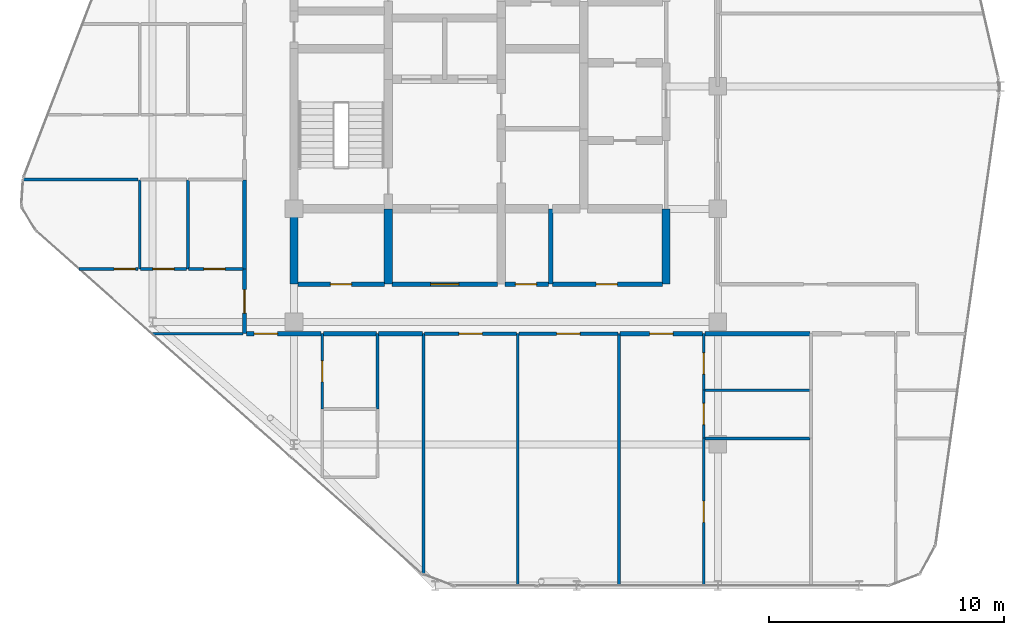
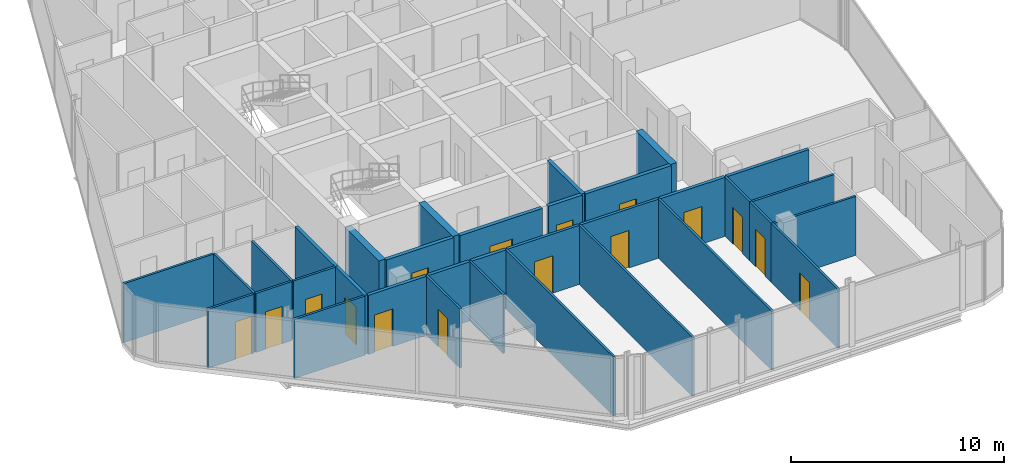
# One storey, part 22 of 27: 34 walls, 16 doors, 16 openings.
"""IFC4 building model written with IfcOpenShell, lengths in metres."""

import ifcopenshell
import ifcopenshell.guid

model = None  # the IFC model being written
_history = None  # IfcOwnerHistory: only IFC2X3 demands one
_inside = {}  # id of a spatial element -> (the spatial element, [elements in it])
_under = {}  # id of a project, library or spatial element -> (it, [spatial elements below it])
_declared = {}  # id of a project -> (the project, [libraries it declares])
_typed = {}  # id of a type object -> (the type object, [elements of that type])
_made_of = {}  # id of a material, layer set ... -> (it, [elements and type objects made of it])


def new_model(schema):
    """Start an empty IFC model of exactly this schema.

    Asked for "IFC4X3", IfcOpenShell would pick the latest addendum, in which some entities
    have other attributes; the version numbers below select the first issue.
    IFC2X3 requires an IfcOwnerHistory on every rooted entity: one is made here for all.
    """
    global model, _history
    if schema == "IFC4X3":
        model = ifcopenshell.file(schema_version=(4, 3, 0, 0))
    else:
        model = ifcopenshell.file(schema=schema)
    _inside.clear()
    _under.clear()
    _declared.clear()
    _typed.clear()
    _made_of.clear()
    _history = None
    if model.schema == "IFC2X3":
        org = make("IfcOrganization", Name="unknown")
        user = make(
            "IfcPersonAndOrganization",
            ThePerson=make("IfcPerson", FamilyName="unknown"),
            TheOrganization=org,
        )
        app = make(
            "IfcApplication",
            ApplicationDeveloper=org,
            Version="unknown",
            ApplicationFullName="unknown",
            ApplicationIdentifier="unknown",
        )
        _history = make(
            "IfcOwnerHistory",
            OwningUser=user,
            OwningApplication=app,
            ChangeAction="ADDED",
            CreationDate=0,
        )
    return model


def make(cls, **values):
    """One entity of the class cls with the attributes given. An attribute that is None is left unset."""
    return model.create_entity(
        cls, **{name: value for name, value in values.items() if value is not None}
    )


def rooted(cls, **values):
    """An entity with a GlobalId (a new one), such as an element, a storey or a relation."""
    return make(cls, GlobalId=ifcopenshell.guid.new(), OwnerHistory=_history, **values)


def si_unit(unit_type, name, prefix=None):
    """IfcSIUnit, for example si_unit("LENGTHUNIT", "METRE", prefix="MILLI")."""
    return make("IfcSIUnit", UnitType=unit_type, Prefix=prefix, Name=name)


def assignment(units):
    """IfcUnitAssignment: the units of a project."""
    return None if units is None else make("IfcUnitAssignment", Units=units)


def point(xyz):
    """IfcCartesianPoint."""
    return None if xyz is None else make("IfcCartesianPoint", Coordinates=xyz)


def direction(xyz):
    """IfcDirection."""
    return None if xyz is None else make("IfcDirection", DirectionRatios=xyz)


def frame(location, z_axis=None, x_axis=None):
    """IfcAxis2Placement3D, a coordinate frame: its origin and axes. An axis left out is left unset."""
    return make(
        "IfcAxis2Placement3D",
        Location=point(location),
        Axis=direction(z_axis),
        RefDirection=direction(x_axis),
    )


def frame_2d(location, x_axis=None):
    """IfcAxis2Placement2D, a coordinate frame in the plane: its origin and x axis."""
    return make(
        "IfcAxis2Placement2D", Location=point(location), RefDirection=direction(x_axis)
    )


def origin():
    """The frame at (0, 0, 0) with its axes left unset."""
    return frame((0.0, 0.0, 0.0))


def place(relative_to, where):
    """IfcLocalPlacement: puts the frame where relative to a parent placement (None: the world)."""
    return make(
        "IfcLocalPlacement", PlacementRelTo=relative_to, RelativePlacement=where
    )


def context(
    kind, dimensions, precision=None, world=None, true_north=None, identifier=None
):
    """IfcGeometricRepresentationContext, for example the 3D "Model" context."""
    return make(
        "IfcGeometricRepresentationContext",
        ContextIdentifier=identifier,
        ContextType=kind,
        CoordinateSpaceDimension=dimensions,
        Precision=precision,
        WorldCoordinateSystem=world,
        TrueNorth=true_north,
    )


def subcontext(parent, identifier, kind, view, scale=None):
    """IfcGeometricRepresentationSubContext, for example "Body" below "Model"."""
    return make(
        "IfcGeometricRepresentationSubContext",
        ContextIdentifier=identifier,
        ContextType=kind,
        ParentContext=parent,
        TargetScale=scale,
        TargetView=view,
    )


def project(units=None, contexts=None):
    """IfcProject with its units and contexts."""
    return rooted(
        "IfcProject",
        Name="project",
        RepresentationContexts=contexts,
        UnitsInContext=assignment(units),
    )


def spatial(cls, under=None, at=None, **own):
    """A site, building, storey or space (cls), placed at a placement, below another one or the project."""
    s = rooted(cls, ObjectPlacement=at, **own)
    if under is not None:
        _under.setdefault(under.id(), (under, []))[1].append(s)
    return s


def profile(cls, at=None, kind="AREA", **sizes):
    """A parametric profile (cls). Its sizes go by their IFC names, for example OverallWidth=200.0."""
    return make(cls, ProfileType=kind, Position=at, **sizes)


def rectangle(**sizes):
    """IfcRectangleProfileDef."""
    return profile("IfcRectangleProfileDef", **sizes)


def extrude(swept, where, along, depth):
    """IfcExtrudedAreaSolid: the profile swept, set in the frame where, extruded along a direction by depth."""
    return make(
        "IfcExtrudedAreaSolid",
        SweptArea=swept,
        Position=where,
        ExtrudedDirection=direction(along),
        Depth=depth,
    )


def shape(context_of_items, identifier, shape_type, items):
    """IfcShapeRepresentation: the items that make up one representation, for example the "Body"."""
    return make(
        "IfcShapeRepresentation",
        ContextOfItems=context_of_items,
        RepresentationIdentifier=identifier,
        RepresentationType=shape_type,
        Items=items,
    )


def material(Name=None, Category=None):
    """IfcMaterial."""
    return make("IfcMaterial", Name=Name, Category=Category)


def layer(
    of_material, thickness, ventilated=None, Name=None, Category=None, Priority=None
):
    """IfcMaterialLayer: one layer of a wall or slab, of a material (None: an air gap)."""
    return make(
        "IfcMaterialLayer",
        Material=of_material,
        LayerThickness=thickness,
        IsVentilated=ventilated,
        Name=Name,
        Category=Category,
        Priority=Priority,
    )


def layer_set(layers, Name=None):
    """IfcMaterialLayerSet."""
    return make("IfcMaterialLayerSet", MaterialLayers=layers, LayerSetName=Name)


def made_of(thing, what):
    """Note that an element or type object is made of a material, layer set ...; save() writes the relation."""
    if what is not None:
        _made_of.setdefault(what.id(), (what, []))[1].append(thing)
    return thing


def type_object(cls, material=None, **own):
    """A type object (cls), such as IfcWallType, which elements share."""
    return made_of(rooted(cls, **own), material)


def element(
    cls,
    number,
    at=None,
    inside=None,
    cuts=None,
    type_object=None,
    material=None,
    context=None,
    identifier="Body",
    shape_type=None,
    held_by="IfcProductDefinitionShape",
    body=None,
    shapes=None,
    **own,
):
    """One element of the class cls, such as IfcWall. Its Tag is "e" and its number.

    at: its placement. inside: the storey or other place that contains it. cuts: it is an
    opening in that element (IfcRelVoidsElement). A single representation is given by context,
    identifier, shape_type and body (its items); several are given by shapes. held_by: the class
    of the entity that holds the representations. save() writes the other relations.
    """
    e = rooted(cls, Tag="e%d" % number, ObjectPlacement=at, **own)
    if body is not None:
        shapes = [shape(context, identifier, shape_type, body)]
    if shapes is not None:
        e.Representation = make(held_by, Representations=shapes)
    if inside is not None:
        _inside.setdefault(inside.id(), (inside, []))[1].append(e)
    if cuts is not None:
        rooted(
            "IfcRelVoidsElement", RelatingBuildingElement=cuts, RelatedOpeningElement=e
        )
    if type_object is not None:
        _typed.setdefault(type_object.id(), (type_object, []))[1].append(e)
    return made_of(e, material)


def fill(opening, filler):
    """IfcRelFillsElement: the door or window that sits in an opening."""
    return rooted(
        "IfcRelFillsElement",
        RelatingOpeningElement=opening,
        RelatedBuildingElement=filler,
    )


def aggregate(whole, parts):
    """IfcRelAggregates: a whole, such as a stair, and the parts it consists of."""
    return rooted("IfcRelAggregates", RelatingObject=whole, RelatedObjects=parts)


def save(model, path):
    """Write the relations noted so far, then the file.

    IfcRelAggregates (storeys below a building ...), IfcRelContainedInSpatialStructure (elements
    in a storey), IfcRelDefinesByType, IfcRelAssociatesMaterial and IfcRelDeclares: one each for
    every whole, place, type object, material and project.
    """
    for whole, parts in _under.values():
        aggregate(whole, parts)
    for where, things in _inside.values():
        rooted(
            "IfcRelContainedInSpatialStructure",
            RelatedElements=things,
            RelatingStructure=where,
        )
    for kind, things in _typed.values():
        rooted("IfcRelDefinesByType", RelatedObjects=things, RelatingType=kind)
    for what, things in _made_of.values():
        rooted("IfcRelAssociatesMaterial", RelatedObjects=things, RelatingMaterial=what)
    for by, libraries in _declared.values():
        rooted("IfcRelDeclares", RelatingContext=by, RelatedDefinitions=libraries)
    model.write(path)


model = new_model("IFC4")

# Units and contexts
model_context = context("Model", 3, precision=1e-05, world=origin(), true_north=direction((0.0, 1.0)))
body_context = subcontext(model_context, "Body", "Model", "MODEL_VIEW")
ifc_project = project(units=[si_unit("LENGTHUNIT", "METRE"), si_unit("AREAUNIT", "SQUARE_METRE"), si_unit("VOLUMEUNIT", "CUBIC_METRE"), si_unit("PLANEANGLEUNIT", "RADIAN"), si_unit("MASSUNIT", "GRAM", prefix="KILO")], contexts=[model_context])

# Site, building, storey
site_placement = place(None, origin())
site = spatial("IfcSite", under=ifc_project, at=site_placement, CompositionType="ELEMENT")
building_placement = place(site_placement, origin())
building = spatial("IfcBuilding", under=site, at=building_placement, Name="Keshet Zoharim Tower", CompositionType="ELEMENT")
storey_placement = place(building_placement, frame((0.0, 0.0, 269.5)))
storey = spatial("IfcBuildingStorey", under=building, at=storey_placement, Name="L67", CompositionType="ELEMENT", Elevation=269.5)

# Wall, opening, door
ifc_material_1 = material(Name="Gypsum Plasterboard", Category="gypsum")
ifc_layer_1 = layer(ifc_material_1, 0.14990234375)
ifc_layer_set_1 = layer_set([ifc_layer_1], Name="Gypsum Plasterboard")
wall_type_1 = type_object("IfcWallType", Name="WL-CLIN-150", PredefinedType="STANDARD", material=ifc_layer_set_1)
wall_1_placement = place(storey_placement, frame((20.544921875, 17.39990234375, 0.0), z_axis=(0.0, 0.0, 1.0), x_axis=(1.0, 0.0, 0.0)))
wall_1 = element("IfcWall", 1, at=wall_1_placement, inside=storey, type_object=wall_type_1, Name="L67 Interior Wall 094", PredefinedType="STANDARD", context=body_context, shape_type="SweptSolid", body=[
    extrude(rectangle(XDim=3.91015625, YDim=0.14990234375, at=frame_2d((1.955078125, 0.0))), origin(), (0.0, 0.0, 1.0), 3.389892578125),
])
opening_1_placement = place(wall_1_placement, frame((1.455078125, 0.0, 0.0)))
opening_1 = element("IfcOpeningElement", 2, at=opening_1_placement, cuts=wall_1, Name="Opening D-F310", PredefinedType="OPENING", context=body_context, shape_type="SweptSolid", body=[
    extrude(rectangle(XDim=1.0, YDim=2.14990234375, at=frame_2d((0.5, 1.074951171875))), frame((0.0, 0.0849609375, 0.0), z_axis=(0.0, -1.0, 0.0), x_axis=(1.0, 0.0, 0.0)), (0.0, 0.0, 1.0), 0.169921875),
])
ifc_material_2 = material(Name="Hardwood Timber", Category="wood")
door_type_1 = type_object("IfcDoorType", Name="DR-FD30-100", OperationType="NOTDEFINED", PredefinedType="DOOR", material=ifc_material_2)
door_1_placement = place(opening_1_placement, origin())
door_1 = element("IfcDoor", 3, at=door_1_placement, inside=storey, type_object=door_type_1, Name="L67 Residents Telework Office Door", OperationType="SINGLE_SWING_LEFT", OverallHeight=2.14990234375, OverallWidth=1.0, PredefinedType="DOOR", context=body_context, shape_type="SweptSolid", body=[
    extrude(rectangle(XDim=1.0, YDim=2.14990234375, at=frame_2d((0.5, 1.074951171875))), frame((0.0, 0.02490234375, 0.0), z_axis=(0.0, -1.0, 0.0), x_axis=(1.0, 0.0, 0.0)), (0.0, 0.0, 1.0), 0.050048828125),
])
fill(opening_1, door_1)

wall_2_placement = place(storey_placement, frame((24.544921875, 17.39990234375, 0.0), z_axis=(0.0, 0.0, 1.0), x_axis=(1.0, 0.0, 0.0)))
wall_2 = element("IfcWall", 4, at=wall_2_placement, inside=storey, type_object=wall_type_1, Name="L67 Interior Wall 095", PredefinedType="STANDARD", context=body_context, shape_type="SweptSolid", body=[
    extrude(rectangle(XDim=4.2099609375, YDim=0.14990234375, at=frame_2d((2.10498046875, 0.0))), origin(), (0.0, 0.0, 1.0), 3.389892578125),
])
opening_2_placement = place(wall_2_placement, frame((1.60498046875, 0.0, 0.0)))
opening_2 = element("IfcOpeningElement", 5, at=opening_2_placement, cuts=wall_2, Name="Opening D-F310", PredefinedType="OPENING", context=body_context, shape_type="SweptSolid", body=[
    extrude(rectangle(XDim=1.0, YDim=2.14990234375, at=frame_2d((0.5, 1.074951171875))), frame((0.0, 0.0849609375, 0.0), z_axis=(0.0, -1.0, 0.0), x_axis=(1.0, 0.0, 0.0)), (0.0, 0.0, 1.0), 0.169921875),
])
door_2_placement = place(opening_2_placement, origin())
door_2 = element("IfcDoor", 6, at=door_2_placement, inside=storey, type_object=door_type_1, Name="L67 Residents Meeting Room Door", OperationType="SINGLE_SWING_RIGHT", OverallHeight=2.14990234375, OverallWidth=1.0, PredefinedType="DOOR", context=body_context, shape_type="SweptSolid", body=[
    extrude(rectangle(XDim=1.0, YDim=2.14990234375, at=frame_2d((0.5, 1.074951171875))), frame((0.0, 0.02490234375, 0.0), z_axis=(0.0, -1.0, 0.0), x_axis=(1.0, 0.0, 0.0)), (0.0, 0.0, 1.0), 0.050048828125),
])
fill(opening_2, door_2)

# Walls
ifc_material_3 = material(Name="Concrete C60/75", Category="concrete")
ifc_layer_2 = layer(ifc_material_3, 0.35009765625)
ifc_layer_set_2 = layer_set([ifc_layer_2], Name="Concrete C60/75")
wall_type_2 = type_object("IfcWallType", Name="WL-CORE-350", PredefinedType="SHEAR", material=ifc_layer_set_2)
for number, where, z_axis, x_axis, name in (
    (7, (15.0, 19.5, 0.0), (0.0, 0.0, 1.0), (0.0, 1.0, 0.0), "L67 Core Shear Wall 016"),
    (8, (19.0, 19.5, 0.0), (0.0, 0.0, 1.0), (0.0, 1.0, 0.0), "L67 Core Shear Wall 026"),
    (9, (30.800048828125, 19.5, 0.0), (0.0, 0.0, 1.0), (0.0, 1.0, 0.0), "L67 Core Shear Wall 057"),
):
    element("IfcWall", number, at=place(storey_placement, frame(where, z_axis=z_axis, x_axis=x_axis)), inside=storey, type_object=wall_type_2, Name=name, PredefinedType="SHEAR", context=body_context, shape_type="SweptSolid", body=[
        extrude(rectangle(XDim=3.199951171875, YDim=0.35009765625, at=frame_2d((1.60009765625, 0.0))), origin(), (0.0, 0.0, 1.0), 3.389892578125),
    ])

# Wall, opening, door
ifc_layer_3 = layer(ifc_material_1, 0.179931640625)
ifc_layer_set_3 = layer_set([ifc_layer_3], Name="Gypsum Plasterboard")
wall_type_3 = type_object("IfcWallType", Name="WL-CORR-180", PredefinedType="STANDARD", material=ifc_layer_set_3)
wall_3_placement = place(storey_placement, frame((12.89990234375, 17.39990234375, 0.0), z_axis=(0.0, 0.0, 1.0), x_axis=(0.0, 1.0, 0.0)))
wall_3 = element("IfcWall", 10, at=wall_3_placement, inside=storey, type_object=wall_type_3, Name="L67 Interior Wall 007", PredefinedType="STANDARD", context=body_context, shape_type="SweptSolid", body=[
    extrude(rectangle(XDim=2.75, YDim=0.179931640625, at=frame_2d((1.375, 0.0))), origin(), (0.0, 0.0, 1.0), 3.389892578125),
])
opening_3_placement = place(wall_3_placement, frame((0.875, 0.0, 0.0)))
opening_3 = element("IfcOpeningElement", 11, at=opening_3_placement, cuts=wall_3, Name="Opening D-F310", PredefinedType="OPENING", context=body_context, shape_type="SweptSolid", body=[
    extrude(rectangle(XDim=1.0, YDim=2.14990234375, at=frame_2d((0.5, 1.074951171875))), frame((0.0, 0.10009765625, 0.0), z_axis=(0.0, -1.0, 0.0), x_axis=(1.0, 0.0, 0.0)), (0.0, 0.0, 1.0), 0.199951171875),
])
door_3_placement = place(opening_3_placement, origin())
door_3 = element("IfcDoor", 12, at=door_3_placement, inside=storey, type_object=door_type_1, Name="Apartment 6706 Entrance Door", OperationType="SINGLE_SWING_LEFT", OverallHeight=2.14990234375, OverallWidth=1.0, PredefinedType="DOOR", context=body_context, shape_type="SweptSolid", body=[
    extrude(rectangle(XDim=1.0, YDim=2.14990234375, at=frame_2d((0.5, 1.074951171875))), frame((0.0, 0.02490234375, 0.0), z_axis=(0.0, -1.0, 0.0), x_axis=(1.0, 0.0, 0.0)), (0.0, 0.0, 1.0), 0.050048828125),
])
fill(opening_3, door_3)

# Wall
wall_4_placement = place(storey_placement, frame((12.89990234375, 20.14990234375, 0.0), z_axis=(0.0, 0.0, 1.0), x_axis=(0.0, 1.0, 0.0)))
element("IfcWall", 13, at=wall_4_placement, inside=storey, type_object=wall_type_3, Name="L67 Interior Wall 008", PredefinedType="STANDARD", context=body_context, shape_type="SweptSolid", body=[
    extrude(rectangle(XDim=3.780029296875, YDim=0.179931640625, at=frame_2d((1.89013671875, 0.0))), origin(), (0.0, 0.0, 1.0), 3.389892578125),
])

# Wall, opening, door
wall_5_placement = place(storey_placement, frame((12.97509765625, 17.39990234375, 0.0), z_axis=(0.0, 0.0, 1.0), x_axis=(1.0, 0.0, 0.0)))
wall_5 = element("IfcWall", 14, at=wall_5_placement, inside=storey, type_object=wall_type_3, Name="L67 Interior Wall 091", PredefinedType="STANDARD", context=body_context, shape_type="SweptSolid", body=[
    extrude(rectangle(XDim=3.179931640625, YDim=0.179931640625, at=frame_2d((1.58984375, 0.0))), origin(), (0.0, 0.0, 1.0), 3.389892578125),
])
opening_4_placement = place(wall_5_placement, frame((0.33203125, 0.0, 0.0)))
opening_4 = element("IfcOpeningElement", 15, at=opening_4_placement, cuts=wall_5, Name="Opening D-F310", PredefinedType="OPENING", context=body_context, shape_type="SweptSolid", body=[
    extrude(rectangle(XDim=1.0, YDim=2.14990234375, at=frame_2d((0.5, 1.074951171875))), frame((0.0, 0.10009765625, 0.0), z_axis=(0.0, -1.0, 0.0), x_axis=(1.0, 0.0, 0.0)), (0.0, 0.0, 1.0), 0.199951171875),
])
door_4_placement = place(opening_4_placement, origin())
door_4 = element("IfcDoor", 16, at=door_4_placement, inside=storey, type_object=door_type_1, Name="Apartment 6701 Entrance Door", OperationType="SINGLE_SWING_RIGHT", OverallHeight=2.14990234375, OverallWidth=1.0, PredefinedType="DOOR", context=body_context, shape_type="SweptSolid", body=[
    extrude(rectangle(XDim=1.0, YDim=2.14990234375, at=frame_2d((0.5, 1.074951171875))), frame((0.0, 0.02490234375, 0.0), z_axis=(0.0, -1.0, 0.0), x_axis=(1.0, 0.0, 0.0)), (0.0, 0.0, 1.0), 0.050048828125),
])
fill(opening_4, door_4)

# Walls
wall_6_placement = place(storey_placement, frame((16.2451171875, 17.39990234375, 0.0), z_axis=(0.0, 0.0, 1.0), x_axis=(1.0, 0.0, 0.0)))
element("IfcWall", 17, at=wall_6_placement, inside=storey, type_object=wall_type_3, Name="L67 Interior Wall 092", PredefinedType="STANDARD", context=body_context, shape_type="SweptSolid", body=[
    extrude(rectangle(XDim=2.259765625, YDim=0.179931640625, at=frame_2d((1.1298828125, 0.0))), origin(), (0.0, 0.0, 1.0), 3.389892578125),
])
wall_7_placement = place(storey_placement, frame((18.594970703125, 17.39990234375, 0.0), z_axis=(0.0, 0.0, 1.0), x_axis=(1.0, 0.0, 0.0)))
element("IfcWall", 18, at=wall_7_placement, inside=storey, type_object=wall_type_3, Name="L67 Interior Wall 093", PredefinedType="STANDARD", context=body_context, shape_type="SweptSolid", body=[
    extrude(rectangle(XDim=1.860107421875, YDim=0.179931640625, at=frame_2d((0.93017578125, 0.0))), origin(), (0.0, 0.0, 1.0), 3.389892578125),
])

# Wall, opening, door
wall_8_placement = place(storey_placement, frame((28.844970703125, 17.39990234375, 0.0), z_axis=(0.0, 0.0, 1.0), x_axis=(1.0, 0.0, 0.0)))
wall_8 = element("IfcWall", 19, at=wall_8_placement, inside=storey, type_object=wall_type_3, Name="L67 Interior Wall 096", PredefinedType="STANDARD", context=body_context, shape_type="SweptSolid", body=[
    extrude(rectangle(XDim=3.510009765625, YDim=0.179931640625, at=frame_2d((1.7548828125, 0.0))), origin(), (0.0, 0.0, 1.0), 3.389892578125),
])
opening_5_placement = place(wall_8_placement, frame((1.2548828125, 0.0, 0.0)))
opening_5 = element("IfcOpeningElement", 20, at=opening_5_placement, cuts=wall_8, Name="Opening D-F310", PredefinedType="OPENING", context=body_context, shape_type="SweptSolid", body=[
    extrude(rectangle(XDim=1.0, YDim=2.14990234375, at=frame_2d((0.5, 1.074951171875))), frame((0.0, 0.10009765625, 0.0), z_axis=(0.0, -1.0, 0.0), x_axis=(1.0, 0.0, 0.0)), (0.0, 0.0, 1.0), 0.199951171875),
])
door_5_placement = place(opening_5_placement, origin())
door_5 = element("IfcDoor", 21, at=door_5_placement, inside=storey, type_object=door_type_1, Name="Apartment 6702 Entrance Door", OperationType="SINGLE_SWING_LEFT", OverallHeight=2.14990234375, OverallWidth=1.0, PredefinedType="DOOR", context=body_context, shape_type="SweptSolid", body=[
    extrude(rectangle(XDim=1.0, YDim=2.14990234375, at=frame_2d((0.5, 1.074951171875))), frame((0.0, 0.02490234375, 0.0), z_axis=(0.0, -1.0, 0.0), x_axis=(1.0, 0.0, 0.0)), (0.0, 0.0, 1.0), 0.050048828125),
])
fill(opening_5, door_5)

# Walls
wall_9_placement = place(storey_placement, frame((32.445068359375, 17.39990234375, 0.0), z_axis=(0.0, 0.0, 1.0), x_axis=(1.0, 0.0, 0.0)))
element("IfcWall", 22, at=wall_9_placement, inside=storey, type_object=wall_type_3, Name="L67 Interior Wall 097", PredefinedType="STANDARD", context=body_context, shape_type="SweptSolid", body=[
    extrude(rectangle(XDim=4.4599609375, YDim=0.179931640625, at=frame_2d((2.22998046875, 0.0))), origin(), (0.0, 0.0, 1.0), 3.389892578125),
])
ifc_material_4 = material(Name="Concrete C50/60", Category="concrete")
ifc_layer_4 = layer(ifc_material_4, 0.199951171875)
ifc_layer_set_4 = layer_set([ifc_layer_4], Name="Concrete C50/60")
wall_type_4 = type_object("IfcWallType", Name="WL-FIRE-200", PredefinedType="STANDARD", material=ifc_layer_set_4)
wall_10_placement = place(storey_placement, frame((25.89990234375, 19.5, 0.0), z_axis=(0.0, 0.0, 1.0), x_axis=(0.0, 1.0, 0.0)))
element("IfcWall", 23, at=wall_10_placement, inside=storey, type_object=wall_type_4, Name="L67 Interior Wall 046", PredefinedType="STANDARD", context=body_context, shape_type="SweptSolid", body=[
    extrude(rectangle(XDim=3.199951171875, YDim=0.199951171875, at=frame_2d((1.60009765625, 0.0))), origin(), (0.0, 0.0, 1.0), 3.389892578125),
])

# Wall, opening, door
wall_11_placement = place(storey_placement, frame((15.159912109375, 19.5, 0.0), z_axis=(0.0, 0.0, 1.0), x_axis=(1.0, 0.0, 0.0)))
wall_11 = element("IfcWall", 24, at=wall_11_placement, inside=storey, type_object=wall_type_4, Name="L67 Interior Wall 101", PredefinedType="STANDARD", context=body_context, shape_type="SweptSolid", body=[
    extrude(rectangle(XDim=3.68017578125, YDim=0.199951171875, at=frame_2d((1.840087890625, 0.0))), origin(), (0.0, 0.0, 1.0), 3.389892578125),
])
opening_6_placement = place(wall_11_placement, frame((1.389892578125, 0.0, 0.0)))
opening_6 = element("IfcOpeningElement", 25, at=opening_6_placement, cuts=wall_11, Name="Opening D-F690", PredefinedType="OPENING", context=body_context, shape_type="SweptSolid", body=[
    extrude(rectangle(XDim=0.89990234375, YDim=2.14990234375, at=frame_2d((0.449951171875, 1.074951171875))), frame((0.0, 0.10986328125, 0.0), z_axis=(0.0, -1.0, 0.0), x_axis=(1.0, 0.0, 0.0)), (0.0, 0.0, 1.0), 0.219970703125),
])
door_type_2 = type_object("IfcDoorType", Name="DR-FD60-090", OperationType="NOTDEFINED", PredefinedType="DOOR", material=ifc_material_2)
door_6_placement = place(opening_6_placement, origin())
door_6 = element("IfcDoor", 26, at=door_6_placement, inside=storey, type_object=door_type_2, Name="L67 Refuse Room Door", OperationType="SINGLE_SWING_LEFT", OverallHeight=2.14990234375, OverallWidth=0.89990234375, PredefinedType="DOOR", context=body_context, shape_type="SweptSolid", body=[
    extrude(rectangle(XDim=0.89990234375, YDim=2.14990234375, at=frame_2d((0.449951171875, 1.074951171875))), frame((0.0, 0.02490234375, 0.0), z_axis=(0.0, -1.0, 0.0), x_axis=(1.0, 0.0, 0.0)), (0.0, 0.0, 1.0), 0.050048828125),
])
fill(opening_6, door_6)

wall_12_placement = place(storey_placement, frame((19.159912109375, 19.5, 0.0), z_axis=(0.0, 0.0, 1.0), x_axis=(1.0, 0.0, 0.0)))
wall_12 = element("IfcWall", 27, at=wall_12_placement, inside=storey, type_object=wall_type_4, Name="L67 Interior Wall 102", PredefinedType="STANDARD", context=body_context, shape_type="SweptSolid", body=[
    extrude(rectangle(XDim=4.47998046875, YDim=0.199951171875, at=frame_2d((2.239990234375, 0.0))), origin(), (0.0, 0.0, 1.0), 3.389892578125),
])
opening_7_placement = place(wall_12_placement, frame((1.639892578125, 0.0, 0.0)))
opening_7 = element("IfcOpeningElement", 28, at=opening_7_placement, cuts=wall_12, Name="Opening D-F612", PredefinedType="OPENING", context=body_context, shape_type="SweptSolid", body=[
    extrude(rectangle(XDim=1.199951171875, YDim=2.199951171875, at=frame_2d((0.60009765625, 1.10009765625))), frame((0.0, 0.10986328125, 0.0), z_axis=(0.0, -1.0, 0.0), x_axis=(1.0, 0.0, 0.0)), (0.0, 0.0, 1.0), 0.219970703125),
])
door_type_3 = type_object("IfcDoorType", Name="DR-FD60-120", OperationType="NOTDEFINED", PredefinedType="DOOR", material=ifc_material_2)
door_7_placement = place(opening_7_placement, origin())
door_7 = element("IfcDoor", 29, at=door_7_placement, inside=storey, type_object=door_type_3, Name="L67 South Vestibule Corridor Door", OperationType="SINGLE_SWING_RIGHT", OverallHeight=2.199951171875, OverallWidth=1.199951171875, PredefinedType="DOOR", context=body_context, shape_type="SweptSolid", body=[
    extrude(rectangle(XDim=1.199951171875, YDim=2.199951171875, at=frame_2d((0.60009765625, 1.10009765625))), frame((0.0, 0.02490234375, 0.0), z_axis=(0.0, -1.0, 0.0), x_axis=(1.0, 0.0, 0.0)), (0.0, 0.0, 1.0), 0.050048828125),
])
fill(opening_7, door_7)

wall_13_placement = place(storey_placement, frame((23.9599609375, 19.5, 0.0), z_axis=(0.0, 0.0, 1.0), x_axis=(1.0, 0.0, 0.0)))
wall_13 = element("IfcWall", 30, at=wall_13_placement, inside=storey, type_object=wall_type_4, Name="L67 Interior Wall 103", PredefinedType="STANDARD", context=body_context, shape_type="SweptSolid", body=[
    extrude(rectangle(XDim=1.85498046875, YDim=0.199951171875, at=frame_2d((0.927490234375, 0.0))), origin(), (0.0, 0.0, 1.0), 3.389892578125),
])
opening_8_placement = place(wall_13_placement, frame((0.43994140625, 0.0, 0.0)))
opening_8 = element("IfcOpeningElement", 31, at=opening_8_placement, cuts=wall_13, Name="Opening D-F690", PredefinedType="OPENING", context=body_context, shape_type="SweptSolid", body=[
    extrude(rectangle(XDim=0.89990234375, YDim=2.14990234375, at=frame_2d((0.449951171875, 1.074951171875))), frame((0.0, 0.10986328125, 0.0), z_axis=(0.0, -1.0, 0.0), x_axis=(1.0, 0.0, 0.0)), (0.0, 0.0, 1.0), 0.219970703125),
])
door_8_placement = place(opening_8_placement, origin())
door_8 = element("IfcDoor", 32, at=door_8_placement, inside=storey, type_object=door_type_2, Name="L67 Cleaners Store Door", OperationType="SINGLE_SWING_LEFT", OverallHeight=2.14990234375, OverallWidth=0.89990234375, PredefinedType="DOOR", context=body_context, shape_type="SweptSolid", body=[
    extrude(rectangle(XDim=0.89990234375, YDim=2.14990234375, at=frame_2d((0.449951171875, 1.074951171875))), frame((0.0, 0.02490234375, 0.0), z_axis=(0.0, -1.0, 0.0), x_axis=(1.0, 0.0, 0.0)), (0.0, 0.0, 1.0), 0.050048828125),
])
fill(opening_8, door_8)

wall_14_placement = place(storey_placement, frame((25.985107421875, 19.5, 0.0), z_axis=(0.0, 0.0, 1.0), x_axis=(1.0, 0.0, 0.0)))
wall_14 = element("IfcWall", 33, at=wall_14_placement, inside=storey, type_object=wall_type_4, Name="L67 Interior Wall 104", PredefinedType="STANDARD", context=body_context, shape_type="SweptSolid", body=[
    extrude(rectangle(XDim=4.65478515625, YDim=0.199951171875, at=frame_2d((2.327392578125, 0.0))), origin(), (0.0, 0.0, 1.0), 3.389892578125),
])
opening_9_placement = place(wall_14_placement, frame((1.844970703125, 0.0, 0.0)))
opening_9 = element("IfcOpeningElement", 34, at=opening_9_placement, cuts=wall_14, Name="Opening D-F690", PredefinedType="OPENING", context=body_context, shape_type="SweptSolid", body=[
    extrude(rectangle(XDim=0.89990234375, YDim=2.14990234375, at=frame_2d((0.449951171875, 1.074951171875))), frame((0.0, 0.10986328125, 0.0), z_axis=(0.0, -1.0, 0.0), x_axis=(1.0, 0.0, 0.0)), (0.0, 0.0, 1.0), 0.219970703125),
])
door_9_placement = place(opening_9_placement, origin())
door_9 = element("IfcDoor", 35, at=door_9_placement, inside=storey, type_object=door_type_2, Name="L67 Meter Room Door", OperationType="SINGLE_SWING_RIGHT", OverallHeight=2.14990234375, OverallWidth=0.89990234375, PredefinedType="DOOR", context=body_context, shape_type="SweptSolid", body=[
    extrude(rectangle(XDim=0.89990234375, YDim=2.14990234375, at=frame_2d((0.449951171875, 1.074951171875))), frame((0.0, 0.02490234375, 0.0), z_axis=(0.0, -1.0, 0.0), x_axis=(1.0, 0.0, 0.0)), (0.0, 0.0, 1.0), 0.050048828125),
])
fill(opening_9, door_9)

# Wall
ifc_layer_5 = layer(ifc_material_1, 0.1201171875)
ifc_layer_set_5 = layer_set([ifc_layer_5], Name="Gypsum Plasterboard")
wall_type_5 = type_object("IfcWallType", Name="WL-PART-120", PredefinedType="PARTITIONING", material=ifc_layer_set_5)
wall_15_placement = place(storey_placement, frame((8.449951171875, 20.14990234375, 0.0), z_axis=(0.0, 0.0, 1.0), x_axis=(0.0, 1.0, 0.0)))
element("IfcWall", 36, at=wall_15_placement, inside=storey, type_object=wall_type_5, Name="L67 Interior Wall 001", PredefinedType="PARTITIONING", context=body_context, shape_type="SweptSolid", body=[
    extrude(rectangle(XDim=3.780029296875, YDim=0.1201171875, at=frame_2d((1.89013671875, 0.0))), origin(), (0.0, 0.0, 1.0), 3.389892578125),
])

# Wall, opening, door
wall_16_placement = place(storey_placement, frame((16.199951171875, 14.199951171875, 0.0), z_axis=(0.0, 0.0, 1.0), x_axis=(0.0, 1.0, 0.0)))
wall_16 = element("IfcWall", 37, at=wall_16_placement, inside=storey, type_object=wall_type_5, Name="L67 Interior Wall 021", PredefinedType="PARTITIONING", context=body_context, shape_type="SweptSolid", body=[
    extrude(rectangle(XDim=3.199951171875, YDim=0.1201171875, at=frame_2d((1.60009765625, 0.0))), origin(), (0.0, 0.0, 1.0), 3.389892578125),
])
opening_10_placement = place(wall_16_placement, frame((1.14990234375, 0.0, 0.0)))
opening_10 = element("IfcOpeningElement", 38, at=opening_10_placement, cuts=wall_16, Name="Opening D-IN90", PredefinedType="OPENING", context=body_context, shape_type="SweptSolid", body=[
    extrude(rectangle(XDim=0.89990234375, YDim=2.14990234375, at=frame_2d((0.449951171875, 1.074951171875))), frame((0.0, 0.070068359375, 0.0), z_axis=(0.0, -1.0, 0.0), x_axis=(1.0, 0.0, 0.0)), (0.0, 0.0, 1.0), 0.14013671875),
])
door_type_4 = type_object("IfcDoorType", Name="DR-INT-090", OperationType="NOTDEFINED", PredefinedType="DOOR", material=ifc_material_2)
door_10_placement = place(opening_10_placement, origin())
door_10 = element("IfcDoor", 39, at=door_10_placement, inside=storey, type_object=door_type_4, Name="Apartment 6701 Kitchenette Door", OperationType="SINGLE_SWING_LEFT", OverallHeight=2.14990234375, OverallWidth=0.89990234375, PredefinedType="DOOR", context=body_context, shape_type="SweptSolid", body=[
    extrude(rectangle(XDim=0.89990234375, YDim=2.14990234375, at=frame_2d((0.449951171875, 1.074951171875))), frame((0.0, 0.02490234375, 0.0), z_axis=(0.0, -1.0, 0.0), x_axis=(1.0, 0.0, 0.0)), (0.0, 0.0, 1.0), 0.050048828125),
])
fill(opening_10, door_10)

# Walls
wall_17_placement = place(storey_placement, frame((18.550048828125, 14.199951171875, 0.0), z_axis=(0.0, 0.0, 1.0), x_axis=(0.0, 1.0, 0.0)))
element("IfcWall", 40, at=wall_17_placement, inside=storey, type_object=wall_type_5, Name="L67 Interior Wall 025", PredefinedType="PARTITIONING", context=body_context, shape_type="SweptSolid", body=[
    extrude(rectangle(XDim=3.199951171875, YDim=0.1201171875, at=frame_2d((1.60009765625, 0.0))), origin(), (0.0, 0.0, 1.0), 3.389892578125),
])
wall_18_placement = place(storey_placement, frame((20.5, 7.18896484375, 0.0), z_axis=(0.0, 0.0, 1.0), x_axis=(0.0, 1.0, 0.0)))
element("IfcWall", 41, at=wall_18_placement, inside=storey, type_object=wall_type_5, Name="L67 Interior Wall 033", PredefinedType="PARTITIONING", context=body_context, shape_type="SweptSolid", body=[
    extrude(rectangle(XDim=10.2109375, YDim=0.1201171875, at=frame_2d((5.10546875, 0.0))), origin(), (0.0, 0.0, 1.0), 3.389892578125),
])
for number, where, z_axis, x_axis, name in (
    (42, (24.5, 6.7099609375, 0.0), (0.0, 0.0, 1.0), (0.0, 1.0, 0.0), "L67 Interior Wall 045"),
    (43, (28.800048828125, 6.7099609375, 0.0), (0.0, 0.0, 1.0), (0.0, 1.0, 0.0), "L67 Interior Wall 055"),
):
    element("IfcWall", number, at=place(storey_placement, frame(where, z_axis=z_axis, x_axis=x_axis)), inside=storey, type_object=wall_type_5, Name=name, PredefinedType="PARTITIONING", context=body_context, shape_type="SweptSolid", body=[
        extrude(rectangle(XDim=10.68994140625, YDim=0.1201171875, at=frame_2d((5.344970703125, 0.0))), origin(), (0.0, 0.0, 1.0), 3.389892578125),
    ])

# Wall, opening, door
wall_19_placement = place(storey_placement, frame((32.39990234375, 6.7099609375, 0.0), z_axis=(0.0, 0.0, 1.0), x_axis=(0.0, 1.0, 0.0)))
wall_19 = element("IfcWall", 44, at=wall_19_placement, inside=storey, type_object=wall_type_5, Name="L67 Interior Wall 063", PredefinedType="PARTITIONING", context=body_context, shape_type="SweptSolid", body=[
    extrude(rectangle(XDim=6.260009765625, YDim=0.1201171875, at=frame_2d((3.1298828125, 0.0))), origin(), (0.0, 0.0, 1.0), 3.389892578125),
])
opening_11_placement = place(wall_19_placement, frame((2.679931640625, 0.0, 0.0)))
opening_11 = element("IfcOpeningElement", 45, at=opening_11_placement, cuts=wall_19, Name="Opening D-IN90", PredefinedType="OPENING", context=body_context, shape_type="SweptSolid", body=[
    extrude(rectangle(XDim=0.89990234375, YDim=2.14990234375, at=frame_2d((0.449951171875, 1.074951171875))), frame((0.0, 0.070068359375, 0.0), z_axis=(0.0, -1.0, 0.0), x_axis=(1.0, 0.0, 0.0)), (0.0, 0.0, 1.0), 0.14013671875),
])
door_11_placement = place(opening_11_placement, origin())
door_11 = element("IfcDoor", 46, at=door_11_placement, inside=storey, type_object=door_type_4, Name="Apartment 6702 Bedroom 1 Door", OperationType="SINGLE_SWING_RIGHT", OverallHeight=2.14990234375, OverallWidth=0.89990234375, PredefinedType="DOOR", context=body_context, shape_type="SweptSolid", body=[
    extrude(rectangle(XDim=0.89990234375, YDim=2.14990234375, at=frame_2d((0.449951171875, 1.074951171875))), frame((0.0, 0.02490234375, 0.0), z_axis=(0.0, -1.0, 0.0), x_axis=(1.0, 0.0, 0.0)), (0.0, 0.0, 1.0), 0.050048828125),
])
fill(opening_11, door_11)

wall_20_placement = place(storey_placement, frame((32.39990234375, 12.969970703125, 0.0), z_axis=(0.0, 0.0, 1.0), x_axis=(0.0, 1.0, 0.0)))
wall_20 = element("IfcWall", 47, at=wall_20_placement, inside=storey, type_object=wall_type_5, Name="L67 Interior Wall 064", PredefinedType="PARTITIONING", context=body_context, shape_type="SweptSolid", body=[
    extrude(rectangle(XDim=2.0380859375, YDim=0.1201171875, at=frame_2d((1.01904296875, 0.0))), origin(), (0.0, 0.0, 1.0), 3.389892578125),
])
opening_12_placement = place(wall_20_placement, frame((0.569091796875, 0.0, 0.0)))
opening_12 = element("IfcOpeningElement", 48, at=opening_12_placement, cuts=wall_20, Name="Opening D-IN90", PredefinedType="OPENING", context=body_context, shape_type="SweptSolid", body=[
    extrude(rectangle(XDim=0.89990234375, YDim=2.14990234375, at=frame_2d((0.449951171875, 1.074951171875))), frame((0.0, 0.070068359375, 0.0), z_axis=(0.0, -1.0, 0.0), x_axis=(1.0, 0.0, 0.0)), (0.0, 0.0, 1.0), 0.14013671875),
])
door_12_placement = place(opening_12_placement, origin())
door_12 = element("IfcDoor", 49, at=door_12_placement, inside=storey, type_object=door_type_4, Name="Apartment 6702 Kitchen Door", OperationType="SINGLE_SWING_LEFT", OverallHeight=2.14990234375, OverallWidth=0.89990234375, PredefinedType="DOOR", context=body_context, shape_type="SweptSolid", body=[
    extrude(rectangle(XDim=0.89990234375, YDim=2.14990234375, at=frame_2d((0.449951171875, 1.074951171875))), frame((0.0, 0.02490234375, 0.0), z_axis=(0.0, -1.0, 0.0), x_axis=(1.0, 0.0, 0.0)), (0.0, 0.0, 1.0), 0.050048828125),
])
fill(opening_12, door_12)

# Walls
wall_21_placement = place(storey_placement, frame((32.445068359375, 12.949951171875, 0.0), z_axis=(0.0, 0.0, 1.0), x_axis=(1.0, 0.0, 0.0)))
element("IfcWall", 50, at=wall_21_placement, inside=storey, type_object=wall_type_5, Name="L67 Interior Wall 085", PredefinedType="PARTITIONING", context=body_context, shape_type="SweptSolid", body=[
    extrude(rectangle(XDim=4.4599609375, YDim=0.1201171875, at=frame_2d((2.22998046875, 0.0))), origin(), (0.0, 0.0, 1.0), 3.389892578125),
])
wall_22_placement = place(storey_placement, frame((8.972900390625, 17.39990234375, 0.0), z_axis=(0.0, 0.0, 1.0), x_axis=(1.0, 0.0, 0.0)))
element("IfcWall", 51, at=wall_22_placement, inside=storey, type_object=wall_type_5, Name="L67 Interior Wall 090", PredefinedType="PARTITIONING", context=body_context, shape_type="SweptSolid", body=[
    extrude(rectangle(XDim=3.85205078125, YDim=0.1201171875, at=frame_2d((1.926025390625, 0.0))), origin(), (0.0, 0.0, 1.0), 3.389892578125),
])

# Wall, opening, door
wall_23_placement = place(storey_placement, frame((5.87890625, 20.14990234375, 0.0), z_axis=(0.0, 0.0, 1.0), x_axis=(1.0, 0.0, 0.0)))
wall_23 = element("IfcWall", 52, at=wall_23_placement, inside=storey, type_object=wall_type_5, Name="L67 Interior Wall 106", PredefinedType="PARTITIONING", context=body_context, shape_type="SweptSolid", body=[
    extrude(rectangle(XDim=2.504150390625, YDim=0.1201171875, at=frame_2d((1.251953125, 0.0))), origin(), (0.0, 0.0, 1.0), 3.389892578125),
])
opening_13_placement = place(wall_23_placement, frame((1.48388671875, 0.0, 0.0)))
opening_13 = element("IfcOpeningElement", 53, at=opening_13_placement, cuts=wall_23, Name="Opening D-IN90", PredefinedType="OPENING", context=body_context, shape_type="SweptSolid", body=[
    extrude(rectangle(XDim=0.89990234375, YDim=2.14990234375, at=frame_2d((0.449951171875, 1.074951171875))), frame((0.0, 0.070068359375, 0.0), z_axis=(0.0, -1.0, 0.0), x_axis=(1.0, 0.0, 0.0)), (0.0, 0.0, 1.0), 0.14013671875),
])
door_13_placement = place(opening_13_placement, origin())
door_13 = element("IfcDoor", 54, at=door_13_placement, inside=storey, type_object=door_type_4, Name="Apartment 6706 Bedroom 1 Door", OperationType="SINGLE_SWING_RIGHT", OverallHeight=2.14990234375, OverallWidth=0.89990234375, PredefinedType="DOOR", context=body_context, shape_type="SweptSolid", body=[
    extrude(rectangle(XDim=0.89990234375, YDim=2.14990234375, at=frame_2d((0.449951171875, 1.074951171875))), frame((0.0, 0.02490234375, 0.0), z_axis=(0.0, -1.0, 0.0), x_axis=(1.0, 0.0, 0.0)), (0.0, 0.0, 1.0), 0.050048828125),
])
fill(opening_13, door_13)

wall_24_placement = place(storey_placement, frame((8.472900390625, 20.14990234375, 0.0), z_axis=(0.0, 0.0, 1.0), x_axis=(1.0, 0.0, 0.0)))
wall_24 = element("IfcWall", 55, at=wall_24_placement, inside=storey, type_object=wall_type_5, Name="L67 Interior Wall 107", PredefinedType="PARTITIONING", context=body_context, shape_type="SweptSolid", body=[
    extrude(rectangle(XDim=1.967041015625, YDim=0.1201171875, at=frame_2d((0.9833984375, 0.0))), origin(), (0.0, 0.0, 1.0), 3.389892578125),
])
opening_14_placement = place(wall_24_placement, frame((0.533935546875, 0.0, 0.0)))
opening_14 = element("IfcOpeningElement", 56, at=opening_14_placement, cuts=wall_24, Name="Opening D-IN90", PredefinedType="OPENING", context=body_context, shape_type="SweptSolid", body=[
    extrude(rectangle(XDim=0.89990234375, YDim=2.14990234375, at=frame_2d((0.449951171875, 1.074951171875))), frame((0.0, 0.070068359375, 0.0), z_axis=(0.0, -1.0, 0.0), x_axis=(1.0, 0.0, 0.0)), (0.0, 0.0, 1.0), 0.14013671875),
])
door_14_placement = place(opening_14_placement, origin())
door_14 = element("IfcDoor", 57, at=door_14_placement, inside=storey, type_object=door_type_4, Name="Apartment 6706 Kitchen Door", OperationType="SINGLE_SWING_LEFT", OverallHeight=2.14990234375, OverallWidth=0.89990234375, PredefinedType="DOOR", context=body_context, shape_type="SweptSolid", body=[
    extrude(rectangle(XDim=0.89990234375, YDim=2.14990234375, at=frame_2d((0.449951171875, 1.074951171875))), frame((0.0, 0.02490234375, 0.0), z_axis=(0.0, -1.0, 0.0), x_axis=(1.0, 0.0, 0.0)), (0.0, 0.0, 1.0), 0.050048828125),
])
fill(opening_14, door_14)

# Walls
wall_25_placement = place(storey_placement, frame((3.50390625, 23.949951171875, 0.0), z_axis=(0.0, 0.0, 1.0), x_axis=(1.0, 0.0, 0.0)))
element("IfcWall", 58, at=wall_25_placement, inside=storey, type_object=wall_type_5, Name="L67 Interior Wall 114", PredefinedType="PARTITIONING", context=body_context, shape_type="SweptSolid", body=[
    extrude(rectangle(XDim=4.879150390625, YDim=0.1201171875, at=frame_2d((2.439453125, 0.0))), origin(), (0.0, 0.0, 1.0), 3.389892578125),
])
ifc_layer_6 = layer(ifc_material_1, 0.1201171875)
ifc_layer_set_6 = layer_set([ifc_layer_6], Name="Gypsum Plasterboard")
wall_type_6 = type_object("IfcWallType", Name="WL-WET-120", PredefinedType="PARTITIONING", material=ifc_layer_set_6)
wall_26_placement = place(storey_placement, frame((10.5, 20.14990234375, 0.0), z_axis=(0.0, 0.0, 1.0), x_axis=(0.0, 1.0, 0.0)))
element("IfcWall", 59, at=wall_26_placement, inside=storey, type_object=wall_type_6, Name="L67 Interior Wall 004", PredefinedType="PARTITIONING", context=body_context, shape_type="SweptSolid", body=[
    extrude(rectangle(XDim=3.780029296875, YDim=0.1201171875, at=frame_2d((1.89013671875, 0.0))), origin(), (0.0, 0.0, 1.0), 3.389892578125),
])

# Wall, opening, door
wall_27_placement = place(storey_placement, frame((32.39990234375, 15.008056640625, 0.0), z_axis=(0.0, 0.0, 1.0), x_axis=(0.0, 1.0, 0.0)))
wall_27 = element("IfcWall", 60, at=wall_27_placement, inside=storey, type_object=wall_type_6, Name="L67 Interior Wall 065", PredefinedType="PARTITIONING", context=body_context, shape_type="SweptSolid", body=[
    extrude(rectangle(XDim=2.391845703125, YDim=0.1201171875, at=frame_2d((1.19580078125, 0.0))), origin(), (0.0, 0.0, 1.0), 3.389892578125),
])
opening_15_placement = place(wall_27_placement, frame((0.675048828125, 0.0, 0.0)))
opening_15 = element("IfcOpeningElement", 61, at=opening_15_placement, cuts=wall_27, Name="Opening D-WT90", PredefinedType="OPENING", context=body_context, shape_type="SweptSolid", body=[
    extrude(rectangle(XDim=0.89990234375, YDim=2.10009765625, at=frame_2d((0.449951171875, 1.050048828125))), frame((0.0, 0.070068359375, 0.0), z_axis=(0.0, -1.0, 0.0), x_axis=(1.0, 0.0, 0.0)), (0.0, 0.0, 1.0), 0.14013671875),
])
door_type_5 = type_object("IfcDoorType", Name="DR-WET-090", OperationType="NOTDEFINED", PredefinedType="DOOR", material=ifc_material_2)
door_15_placement = place(opening_15_placement, origin())
door_15 = element("IfcDoor", 62, at=door_15_placement, inside=storey, type_object=door_type_5, Name="Apartment 6702 Bathroom Door", OperationType="SINGLE_SWING_RIGHT", OverallHeight=2.10009765625, OverallWidth=0.89990234375, PredefinedType="DOOR", context=body_context, shape_type="SweptSolid", body=[
    extrude(rectangle(XDim=0.89990234375, YDim=2.10009765625, at=frame_2d((0.449951171875, 1.050048828125))), frame((0.0, 0.02490234375, 0.0), z_axis=(0.0, -1.0, 0.0), x_axis=(1.0, 0.0, 0.0)), (0.0, 0.0, 1.0), 0.050048828125),
])
fill(opening_15, door_15)

# Wall
wall_28_placement = place(storey_placement, frame((32.445068359375, 15.0, 0.0), z_axis=(0.0, 0.0, 1.0), x_axis=(1.0, 0.0, 0.0)))
element("IfcWall", 63, at=wall_28_placement, inside=storey, type_object=wall_type_6, Name="L67 Interior Wall 088", PredefinedType="PARTITIONING", context=body_context, shape_type="SweptSolid", body=[
    extrude(rectangle(XDim=4.4599609375, YDim=0.1201171875, at=frame_2d((2.22998046875, 0.0))), origin(), (0.0, 0.0, 1.0), 3.389892578125),
])

# Wall, opening, door
wall_29_placement = place(storey_placement, frame((10.530029296875, 20.14990234375, 0.0), z_axis=(0.0, 0.0, 1.0), x_axis=(1.0, 0.0, 0.0)))
wall_29 = element("IfcWall", 64, at=wall_29_placement, inside=storey, type_object=wall_type_6, Name="L67 Interior Wall 108", PredefinedType="PARTITIONING", context=body_context, shape_type="SweptSolid", body=[
    extrude(rectangle(XDim=2.294921875, YDim=0.1201171875, at=frame_2d((1.1474609375, 0.0))), origin(), (0.0, 0.0, 1.0), 3.389892578125),
])
opening_16_placement = place(wall_29_placement, frame((0.64111328125, 0.0, 0.0)))
opening_16 = element("IfcOpeningElement", 65, at=opening_16_placement, cuts=wall_29, Name="Opening D-WT90", PredefinedType="OPENING", context=body_context, shape_type="SweptSolid", body=[
    extrude(rectangle(XDim=0.89990234375, YDim=2.10009765625, at=frame_2d((0.449951171875, 1.050048828125))), frame((0.0, 0.070068359375, 0.0), z_axis=(0.0, -1.0, 0.0), x_axis=(1.0, 0.0, 0.0)), (0.0, 0.0, 1.0), 0.14013671875),
])
door_16_placement = place(opening_16_placement, origin())
door_16 = element("IfcDoor", 66, at=door_16_placement, inside=storey, type_object=door_type_5, Name="Apartment 6706 Bathroom Door", OperationType="SINGLE_SWING_RIGHT", OverallHeight=2.10009765625, OverallWidth=0.89990234375, PredefinedType="DOOR", context=body_context, shape_type="SweptSolid", body=[
    extrude(rectangle(XDim=0.89990234375, YDim=2.10009765625, at=frame_2d((0.449951171875, 1.050048828125))), frame((0.0, 0.02490234375, 0.0), z_axis=(0.0, -1.0, 0.0), x_axis=(1.0, 0.0, 0.0)), (0.0, 0.0, 1.0), 0.050048828125),
])
fill(opening_16, door_16)

save(model, "model.ifc")
